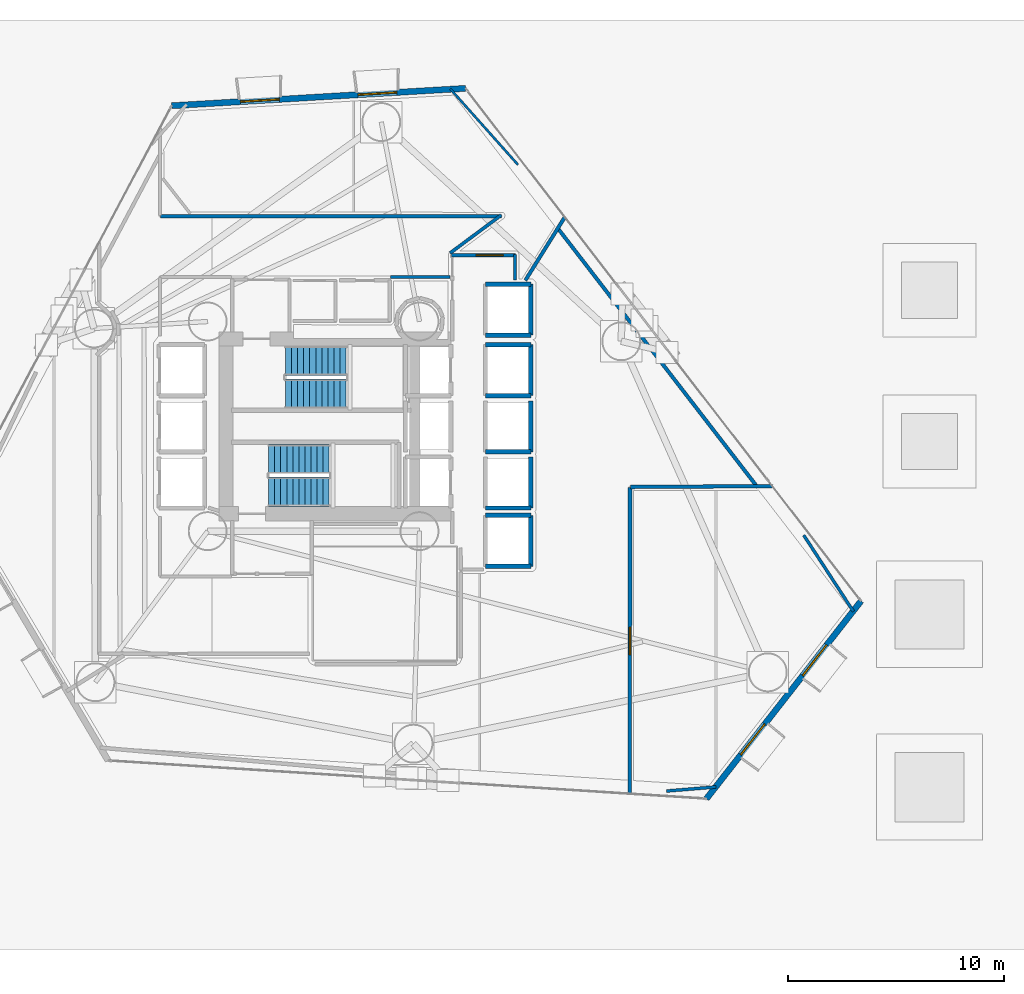
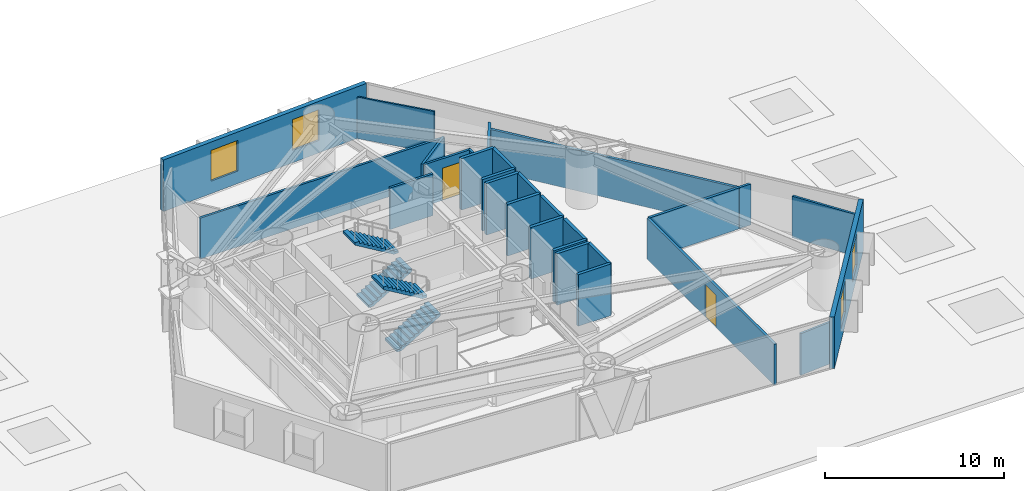
# One storey, part 18 of 22: 27 walls, 4 stair flights, 4 windows, 2 doors, 6 openings, 2 elements without a shape of their own.
"""IFC4 building model written with IfcOpenShell, lengths in metres."""

from ifc_helpers import new_model, si_unit, direction, frame, frame_2d, origin, place, context, subcontext, project, spatial, polyline, rectangle, outline, extrude, material, layer, layer_set, type_object, element, fill, aggregate, save


model = new_model("IFC4")

# Units and contexts
model_context = context("Model", 3, precision=1e-05, world=origin(), true_north=direction((0.0, 1.0)))
body_context = subcontext(model_context, "Body", "Model", "MODEL_VIEW")
ifc_project = project(units=[si_unit("LENGTHUNIT", "METRE"), si_unit("AREAUNIT", "SQUARE_METRE"), si_unit("VOLUMEUNIT", "CUBIC_METRE"), si_unit("PLANEANGLEUNIT", "RADIAN"), si_unit("MASSUNIT", "GRAM", prefix="KILO")], contexts=[model_context])

# Site, building, storey
site_placement = place(None, origin())
site = spatial("IfcSite", under=ifc_project, at=site_placement, CompositionType="ELEMENT")
building_placement = place(site_placement, origin())
building = spatial("IfcBuilding", under=site, at=building_placement, Name="Qianvela Tower", CompositionType="ELEMENT")
storey_placement = place(building_placement, frame((0.0, 0.0, 25.699951171875)))
storey = spatial("IfcBuildingStorey", under=building, at=storey_placement, Name="L05", CompositionType="ELEMENT", Elevation=25.699951171875)

# Wall, openings, windows
ifc_material_1 = material(Name="Terracotta Cladding on Concrete C40", Category="masonry")
ifc_layer_1 = layer(ifc_material_1, 0.280029296875)
ifc_layer_set_1 = layer_set([ifc_layer_1], Name="Terracotta Cladding on Concrete C40")
wall_type_1 = type_object("IfcWallType", Name="TERRACOTTA-WALL-280", PredefinedType="SOLIDWALL", material=ifc_layer_set_1)
wall_1_placement = place(storey_placement, frame((51.6748046875, 11.4677734375, 0.0), z_axis=(0.0, 0.0, 1.0), x_axis=(0.61597722874, 0.787763958095, 0.0)))
wall_1 = element("IfcWall", 1, at=wall_1_placement, inside=storey, type_object=wall_type_1, Name="L05 Terracotta Chamfer Facet Wall 1", PredefinedType="SOLIDWALL", context=body_context, shape_type="SweptSolid", body=[
    extrude(rectangle(XDim=11.615234375, YDim=0.280029296875, at=frame_2d((5.8076171875, 0.0))), origin(), (0.0, 0.0, 1.0), 3.52001953125),
])
opening_1_placement = place(wall_1_placement, frame((2.584716796875, 0.0, 0.85009765625)))
opening_1 = element("IfcOpeningElement", 2, at=opening_1_placement, cuts=wall_1, Name="Opening W-01", PredefinedType="OPENING", context=body_context, shape_type="SweptSolid", body=[
    extrude(rectangle(XDim=1.800048828125, YDim=2.10009765625, at=frame_2d((0.89990234375, 1.050048828125))), frame((0.0, 0.14990234375, 0.0), z_axis=(0.0, -1.0, 0.0), x_axis=(1.0, 0.0, 0.0)), (0.0, 0.0, 1.0), 0.300048828125),
])
opening_2_placement = place(wall_1_placement, frame((7.230712890625, 0.0, 0.85009765625)))
opening_2 = element("IfcOpeningElement", 3, at=opening_2_placement, cuts=wall_1, Name="Opening W-01", PredefinedType="OPENING", context=body_context, shape_type="SweptSolid", body=[
    extrude(rectangle(XDim=1.800048828125, YDim=2.10009765625, at=frame_2d((0.89990234375, 1.050048828125))), frame((0.0, 0.14990234375, 0.0), z_axis=(0.0, -1.0, 0.0), x_axis=(1.0, 0.0, 0.0)), (0.0, 0.0, 1.0), 0.300048828125),
])
ifc_material_2 = material(Name="Thermally Broken Aluminium and Low-E Glass", Category="aluminium")
window_type = type_object("IfcWindowType", Name="WIN-TC-1800x2100", PartitioningType="DOUBLE_PANEL_VERTICAL", PredefinedType="WINDOW", material=ifc_material_2)
window_1_placement = place(opening_1_placement, origin())
window_1 = element("IfcWindow", 4, at=window_1_placement, inside=storey, type_object=window_type, Name="L05 Chamfer Facet Window 1.1", OverallHeight=2.10009765625, OverallWidth=1.800048828125, PartitioningType="SINGLE_PANEL", PredefinedType="WINDOW", context=body_context, shape_type="SweptSolid", body=[
    extrude(rectangle(XDim=1.800048828125, YDim=2.10009765625, at=frame_2d((0.89990234375, 1.050048828125))), frame((0.0, 0.030029296875, 0.0), z_axis=(0.0, -1.0, 0.0), x_axis=(1.0, 0.0, 0.0)), (0.0, 0.0, 1.0), 0.06005859375),
])
fill(opening_1, window_1)
window_2_placement = place(opening_2_placement, origin())
window_2 = element("IfcWindow", 5, at=window_2_placement, inside=storey, type_object=window_type, Name="L05 Chamfer Facet Window 1.2", OverallHeight=2.10009765625, OverallWidth=1.800048828125, PartitioningType="SINGLE_PANEL", PredefinedType="WINDOW", context=body_context, shape_type="SweptSolid", body=[
    extrude(rectangle(XDim=1.800048828125, YDim=2.10009765625, at=frame_2d((0.89990234375, 1.050048828125))), frame((0.0, 0.030029296875, 0.0), z_axis=(0.0, -1.0, 0.0), x_axis=(1.0, 0.0, 0.0)), (0.0, 0.0, 1.0), 0.06005859375),
])
fill(opening_2, window_2)

wall_2_placement = place(storey_placement, frame((40.531982421875, 44.33740234375, 0.0), z_axis=(0.0, 0.0, 1.0), x_axis=(-0.998254407647, -0.059060457267, 0.0)))
wall_2 = element("IfcWall", 6, at=wall_2_placement, inside=storey, type_object=wall_type_1, Name="L05 Terracotta Chamfer Facet Wall 3", PredefinedType="SOLIDWALL", context=body_context, shape_type="SweptSolid", body=[
    extrude(rectangle(XDim=13.616455078125, YDim=0.280029296875, at=frame_2d((6.80810546875, 0.0))), origin(), (0.0, 0.0, 1.0), 3.52001953125),
])
opening_3_placement = place(wall_2_placement, frame((3.18505859375, 0.0, 0.85009765625)))
opening_3 = element("IfcOpeningElement", 7, at=opening_3_placement, cuts=wall_2, Name="Opening W-01", PredefinedType="OPENING", context=body_context, shape_type="SweptSolid", body=[
    extrude(rectangle(XDim=1.800048828125, YDim=2.10009765625, at=frame_2d((0.89990234375, 1.050048828125))), frame((0.0, 0.14990234375, 0.0), z_axis=(0.0, -1.0, 0.0), x_axis=(1.0, 0.0, 0.0)), (0.0, 0.0, 1.0), 0.300048828125),
])
opening_4_placement = place(wall_2_placement, frame((8.631591796875, 0.0, 0.85009765625)))
opening_4 = element("IfcOpeningElement", 8, at=opening_4_placement, cuts=wall_2, Name="Opening W-01", PredefinedType="OPENING", context=body_context, shape_type="SweptSolid", body=[
    extrude(rectangle(XDim=1.800048828125, YDim=2.10009765625, at=frame_2d((0.89990234375, 1.050048828125))), frame((0.0, 0.14990234375, 0.0), z_axis=(0.0, -1.0, 0.0), x_axis=(1.0, 0.0, 0.0)), (0.0, 0.0, 1.0), 0.300048828125),
])
window_3_placement = place(opening_3_placement, origin())
window_3 = element("IfcWindow", 9, at=window_3_placement, inside=storey, type_object=window_type, Name="L05 Chamfer Facet Window 3.1", OverallHeight=2.10009765625, OverallWidth=1.800048828125, PartitioningType="SINGLE_PANEL", PredefinedType="WINDOW", context=body_context, shape_type="SweptSolid", body=[
    extrude(rectangle(XDim=1.800048828125, YDim=2.10009765625, at=frame_2d((0.89990234375, 1.050048828125))), frame((0.0, 0.030029296875, 0.0), z_axis=(0.0, -1.0, 0.0), x_axis=(1.0, 0.0, 0.0)), (0.0, 0.0, 1.0), 0.06005859375),
])
fill(opening_3, window_3)
window_4_placement = place(opening_4_placement, origin())
window_4 = element("IfcWindow", 10, at=window_4_placement, inside=storey, type_object=window_type, Name="L05 Chamfer Facet Window 3.2", OverallHeight=2.10009765625, OverallWidth=1.800048828125, PartitioningType="SINGLE_PANEL", PredefinedType="WINDOW", context=body_context, shape_type="SweptSolid", body=[
    extrude(rectangle(XDim=1.800048828125, YDim=2.10009765625, at=frame_2d((0.89990234375, 1.050048828125))), frame((0.0, 0.030029296875, 0.0), z_axis=(0.0, -1.0, 0.0), x_axis=(1.0, 0.0, 0.0)), (0.0, 0.0, 1.0), 0.06005859375),
])
fill(opening_4, window_4)

# Wall, opening, door
ifc_material_3 = material(Name="Fire-Rated Acoustic Gypsum Board")
ifc_layer_2 = layer(ifc_material_3, 0.14990234375)
ifc_layer_set_2 = layer_set([ifc_layer_2], Name="Fire-Rated Acoustic Gypsum Board")
wall_type_2 = type_object("IfcWallType", Name="WT-CORR-150", PredefinedType="PARTITIONING", material=ifc_layer_set_2)
wall_3_placement = place(storey_placement, frame((39.8798828125, 36.618896484375, 0.0), z_axis=(0.0, 0.0, 1.0), x_axis=(1.0, 0.0, 0.0)))
wall_3 = element("IfcWall", 11, at=wall_3_placement, inside=storey, type_object=wall_type_2, Name="L05 Partition 11", PredefinedType="PARTITIONING", context=body_context, shape_type="SweptSolid", body=[
    extrude(rectangle(XDim=2.97021484375, YDim=0.14990234375, at=frame_2d((1.485107421875, 0.0))), origin(), (0.0, 0.0, 1.0), 2.840087890625),
])
opening_5_placement = place(wall_3_placement, frame((1.139892578125, 0.0, 0.0)))
opening_5 = element("IfcOpeningElement", 12, at=opening_5_placement, cuts=wall_3, Name="Opening D-LG1", PredefinedType="OPENING", context=body_context, shape_type="SweptSolid", body=[
    extrude(rectangle(XDim=1.25, YDim=2.199951171875, at=frame_2d((0.625, 1.10009765625))), frame((0.0, 0.0849609375, 0.0), z_axis=(0.0, -1.0, 0.0), x_axis=(1.0, 0.0, 0.0)), (0.0, 0.0, 1.0), 0.169921875),
])
ifc_material_4 = material(Name="Anodised Aluminium Acoustic Glass Door", Category="aluminium")
door_type = type_object("IfcDoorType", Name="DT-LOUNGE-1250", OperationType="NOTDEFINED", PredefinedType="DOOR", material=ifc_material_4)
door_1_placement = place(opening_5_placement, origin())
door_1 = element("IfcDoor", 13, at=door_1_placement, inside=storey, type_object=door_type, Name="L05 Door Academic Advising Lounge L05-04 to L05 Lift Lobby", OperationType="SINGLE_SWING_RIGHT", OverallHeight=2.199951171875, OverallWidth=1.25, PredefinedType="DOOR", context=body_context, shape_type="SweptSolid", body=[
    extrude(rectangle(XDim=1.25, YDim=2.199951171875, at=frame_2d((0.625, 1.10009765625))), frame((0.0, 0.02490234375, 0.0), z_axis=(0.0, -1.0, 0.0), x_axis=(1.0, 0.0, 0.0)), (0.0, 0.0, 1.0), 0.050048828125),
])
fill(opening_5, door_1)

# Walls
wall_4_placement = place(storey_placement, frame((42.819091796875, 36.64990234375, 0.0), z_axis=(0.0, 0.0, 1.0), x_axis=(0.0, -1.0, 0.0)))
element("IfcWall", 14, at=wall_4_placement, inside=storey, type_object=wall_type_2, Name="L05 Partition 12", PredefinedType="PARTITIONING", context=body_context, shape_type="SweptSolid", body=[
    extrude(rectangle(XDim=1.169921875, YDim=0.14990234375, at=frame_2d((0.5849609375, 0.0))), origin(), (0.0, 0.0, 1.0), 2.840087890625),
])
wall_5_placement = place(storey_placement, frame((26.419921875, 38.4189453125, 0.0), z_axis=(0.0, 0.0, 1.0), x_axis=(1.0, 0.0, 0.0)))
element("IfcWall", 15, at=wall_5_placement, inside=storey, type_object=wall_type_2, Name="L05 Partition 43", PredefinedType="PARTITIONING", context=body_context, shape_type="SweptSolid", body=[
    extrude(rectangle(XDim=15.783203125, YDim=0.14990234375, at=frame_2d((7.8916015625, 0.0))), origin(), (0.0, 0.0, 1.0), 2.798095703125),
])
wall_6_placement = place(storey_placement, frame((42.1845703125, 38.474853515625, 0.0), z_axis=(0.0, 0.0, 1.0), x_axis=(-0.802818467394, -0.596223538961, 0.0)))
element("IfcWall", 16, at=wall_6_placement, inside=storey, type_object=wall_type_2, Name="L05 Partition 44", PredefinedType="PARTITIONING", context=body_context, shape_type="SweptSolid", body=[
    extrude(rectangle(XDim=2.953125, YDim=0.14990234375, at=frame_2d((1.4765625, 0.0))), origin(), (0.0, 0.0, 1.0), 2.798095703125),
])
wall_7_placement = place(storey_placement, frame((39.818115234375, 35.611083984375, 0.0), z_axis=(0.0, 0.0, 1.0), x_axis=(-1.0, 0.0, 0.0)))
element("IfcWall", 17, at=wall_7_placement, inside=storey, type_object=wall_type_2, Name="L05 Partition 46 seg 1", PredefinedType="PARTITIONING", context=body_context, shape_type="SweptSolid", body=[
    extrude(rectangle(XDim=2.76806640625, YDim=0.14990234375, at=frame_2d((1.384033203125, 0.0))), origin(), (0.0, 0.0, 1.0), 2.840087890625),
])
ifc_material_5 = material(Name="Lightweight Gypsum Room Partition")
ifc_layer_3 = layer(ifc_material_5, 0.10498046875)
ifc_layer_set_3 = layer_set([ifc_layer_3], Name="Lightweight Gypsum Room Partition")
wall_type_3 = type_object("IfcWallType", Name="WT-PART-105", PredefinedType="PARTITIONING", material=ifc_layer_set_3)
wall_8_placement = place(storey_placement, frame((39.82421875, 44.312255859375, 0.0), z_axis=(0.0, 0.0, 1.0), x_axis=(0.665796963086, -0.746132966666, 0.0)))
element("IfcWall", 18, at=wall_8_placement, inside=storey, type_object=wall_type_3, Name="L05 Partition 104 seg 1", PredefinedType="PARTITIONING", context=body_context, shape_type="SweptSolid", body=[
    extrude(rectangle(XDim=4.701416015625, YDim=0.10498046875, at=frame_2d((2.3505859375, 0.0))), origin(), (0.0, 0.0, 1.0), 2.840087890625),
])
ifc_material_6 = material(Name="Sanitary Service Chase Partition")
ifc_layer_4 = layer(ifc_material_6, 0.1650390625)
ifc_layer_set_4 = layer_set([ifc_layer_4], Name="Sanitary Service Chase Partition")
wall_type_4 = type_object("IfcWallType", Name="WT-PLUMB-165", PredefinedType="PLUMBINGWALL", material=ifc_layer_set_4)
wall_9_placement = place(storey_placement, frame((43.297119140625, 35.452880859375, 0.0), z_axis=(0.0, 0.0, 1.0), x_axis=(0.529177490016, 0.848511157298, 0.0)))
element("IfcWall", 19, at=wall_9_placement, inside=storey, type_object=wall_type_4, Name="L05 Partition 74", PredefinedType="PLUMBINGWALL", context=body_context, shape_type="SweptSolid", body=[
    extrude(rectangle(XDim=3.47412109375, YDim=0.1650390625, at=frame_2d((1.737060546875, 0.0))), origin(), (0.0, 0.0, 1.0), 2.798095703125),
])
wall_10_placement = place(storey_placement, frame((44.7724609375, 37.8974609375, 0.0), z_axis=(0.0, 0.0, 1.0), x_axis=(0.61079855593, -0.791786034275, 0.0)))
element("IfcWall", 20, at=wall_10_placement, inside=storey, type_object=wall_type_4, Name="L05 Partition 75", PredefinedType="PLUMBINGWALL", context=body_context, shape_type="SweptSolid", body=[
    extrude(rectangle(XDim=15.177001953125, YDim=0.1650390625, at=frame_2d((7.58837890625, 0.0))), origin(), (0.0, 0.0, 1.0), 2.798095703125),
])
wall_11_placement = place(storey_placement, frame((54.748046875, 25.934814453125, 0.0), z_axis=(0.0, 0.0, 1.0), x_axis=(-0.999979867578, -0.00634542665, 0.0)))
element("IfcWall", 21, at=wall_11_placement, inside=storey, type_object=wall_type_4, Name="L05 Partition 76", PredefinedType="PLUMBINGWALL", context=body_context, shape_type="SweptSolid", body=[
    extrude(rectangle(XDim=6.579345703125, YDim=0.1650390625, at=frame_2d((3.28955078125, 0.0))), origin(), (0.0, 0.0, 1.0), 2.798095703125),
])

# Wall, opening, door
wall_12_placement = place(storey_placement, frame((48.13818359375, 25.862060546875, 0.0), z_axis=(0.0, 0.0, 1.0), x_axis=(-3.4412746e-05, -0.999999999408, 0.0)))
wall_12 = element("IfcWall", 22, at=wall_12_placement, inside=storey, type_object=wall_type_4, Name="L05 Partition 77", PredefinedType="PLUMBINGWALL", context=body_context, shape_type="SweptSolid", body=[
    extrude(rectangle(XDim=14.18896484375, YDim=0.1650390625, at=frame_2d((7.094482421875, 0.0))), origin(), (0.0, 0.0, 1.0), 2.798095703125),
])
opening_6_placement = place(wall_12_placement, frame((6.469482421875, 0.0, 0.0)))
opening_6 = element("IfcOpeningElement", 23, at=opening_6_placement, cuts=wall_12, Name="Opening D-LG1", PredefinedType="OPENING", context=body_context, shape_type="SweptSolid", body=[
    extrude(rectangle(XDim=1.25, YDim=2.199951171875, at=frame_2d((0.625, 1.10009765625))), frame((0.0, 0.092529296875, 0.0), z_axis=(0.0, -1.0, 0.0), x_axis=(1.0, 0.0, 0.0)), (0.0, 0.0, 1.0), 0.18505859375),
])
door_2_placement = place(opening_6_placement, origin())
door_2 = element("IfcDoor", 24, at=door_2_placement, inside=storey, type_object=door_type, Name="L05 Door Student Wellness Lounge L05-05 to Shared Communal Kitchen L05-02", OperationType="SINGLE_SWING_LEFT", OverallHeight=2.199951171875, OverallWidth=1.25, PredefinedType="DOOR", context=body_context, shape_type="SweptSolid", body=[
    extrude(rectangle(XDim=1.25, YDim=2.199951171875, at=frame_2d((0.625, 1.10009765625))), frame((0.0, 0.02490234375, 0.0), z_axis=(0.0, -1.0, 0.0), x_axis=(1.0, 0.0, 0.0)), (0.0, 0.0, 1.0), 0.050048828125),
])
fill(opening_6, door_2)

# Walls
ifc_material_7 = material(Name="Acoustic Double Gypsum Stud Partition")
ifc_layer_5 = layer(ifc_material_7, 0.139892578125)
ifc_layer_set_5 = layer_set([ifc_layer_5], Name="Acoustic Double Gypsum Stud Partition")
wall_type_5 = type_object("IfcWallType", Name="WT-ROOM-140", PredefinedType="PARTITIONING", material=ifc_layer_set_5)
wall_13_placement = place(storey_placement, frame((52.124755859375, 12.01611328125, 0.0), z_axis=(0.0, 0.0, 1.0), x_axis=(-0.996566226435, -0.08279949474, 0.0)))
element("IfcWall", 25, at=wall_13_placement, inside=storey, type_object=wall_type_5, Name="L05 Partition 108 seg 1", PredefinedType="PARTITIONING", context=body_context, shape_type="SweptSolid", body=[
    extrude(rectangle(XDim=2.2998046875, YDim=0.139892578125, at=frame_2d((1.14990234375, 0.0))), origin(), (0.0, 0.0, 1.0), 2.840087890625),
])
wall_14_placement = place(storey_placement, frame((56.177490234375, 23.6630859375, 0.0), z_axis=(0.0, 0.0, 1.0), x_axis=(0.545664651051, -0.838003632805, 0.0)))
element("IfcWall", 26, at=wall_14_placement, inside=storey, type_object=wall_type_5, Name="L05 Partition 111 seg 1", PredefinedType="PARTITIONING", context=body_context, shape_type="SweptSolid", body=[
    extrude(rectangle(XDim=4.211669921875, YDim=0.139892578125, at=frame_2d((2.10595703125, 0.0))), origin(), (0.0, 0.0, 1.0), 2.840087890625),
])
ifc_material_8 = material(Name="Concrete C50", Category="concrete")
ifc_layer_6 = layer(ifc_material_8, 0.199951171875)
ifc_layer_set_6 = layer_set([ifc_layer_6], Name="Concrete C50")
wall_type_6 = type_object("IfcWallType", Name="WT-SHAFT-200", PredefinedType="SOLIDWALL", material=ifc_layer_set_6)
wall_15_placement = place(storey_placement, frame((43.550048828125, 30.1201171875, 0.0), z_axis=(0.0, 0.0, 1.0), x_axis=(0.0, 1.0, 0.0)))
element("IfcWall", 27, at=wall_15_placement, inside=storey, type_object=wall_type_6, Name="L05 Lift PL-M1 E Shaft Wall", PredefinedType="SOLIDWALL", context=body_context, shape_type="SweptSolid", body=[
    extrude(rectangle(XDim=2.35986328125, YDim=0.199951171875, at=frame_2d((1.179931640625, 0.0))), origin(), (0.0, 0.0, 1.0), 3.52001953125),
])
for number, where, z_axis, x_axis, name in (
    (28, (41.449951171875, 32.47998046875, 0.0), (0.0, 0.0, 1.0), (1.0, 0.0, 0.0), "L05 Lift PL-M1 N Shaft Wall"),
    (29, (41.449951171875, 30.1201171875, 0.0), (0.0, 0.0, 1.0), (1.0, 0.0, 0.0), "L05 Lift PL-M1 S Shaft Wall"),
):
    element("IfcWall", number, at=place(storey_placement, frame(where, z_axis=z_axis, x_axis=x_axis)), inside=storey, type_object=wall_type_6, Name=name, PredefinedType="SOLIDWALL", context=body_context, shape_type="SweptSolid", body=[
        extrude(rectangle(XDim=2.10009765625, YDim=0.199951171875, at=frame_2d((1.050048828125, 0.0))), origin(), (0.0, 0.0, 1.0), 3.52001953125),
    ])
wall_16_placement = place(storey_placement, frame((43.550048828125, 27.52001953125, 0.0), z_axis=(0.0, 0.0, 1.0), x_axis=(0.0, 1.0, 0.0)))
element("IfcWall", 30, at=wall_16_placement, inside=storey, type_object=wall_type_6, Name="L05 Lift PL-M2 E Shaft Wall", PredefinedType="SOLIDWALL", context=body_context, shape_type="SweptSolid", body=[
    extrude(rectangle(XDim=2.35986328125, YDim=0.199951171875, at=frame_2d((1.179931640625, 0.0))), origin(), (0.0, 0.0, 1.0), 3.52001953125),
])
wall_17_placement = place(storey_placement, frame((41.449951171875, 27.52001953125, 0.0), z_axis=(0.0, 0.0, 1.0), x_axis=(1.0, 0.0, 0.0)))
element("IfcWall", 31, at=wall_17_placement, inside=storey, type_object=wall_type_6, Name="L05 Lift PL-M2 S Shaft Wall", PredefinedType="SOLIDWALL", context=body_context, shape_type="SweptSolid", body=[
    extrude(rectangle(XDim=2.10009765625, YDim=0.199951171875, at=frame_2d((1.050048828125, 0.0))), origin(), (0.0, 0.0, 1.0), 3.52001953125),
])
wall_18_placement = place(storey_placement, frame((43.550048828125, 24.919921875, 0.0), z_axis=(0.0, 0.0, 1.0), x_axis=(0.0, 1.0, 0.0)))
element("IfcWall", 32, at=wall_18_placement, inside=storey, type_object=wall_type_6, Name="L05 Lift PL-M3 E Shaft Wall", PredefinedType="SOLIDWALL", context=body_context, shape_type="SweptSolid", body=[
    extrude(rectangle(XDim=2.360107421875, YDim=0.199951171875, at=frame_2d((1.18017578125, 0.0))), origin(), (0.0, 0.0, 1.0), 3.52001953125),
])
wall_19_placement = place(storey_placement, frame((41.449951171875, 24.919921875, 0.0), z_axis=(0.0, 0.0, 1.0), x_axis=(1.0, 0.0, 0.0)))
element("IfcWall", 33, at=wall_19_placement, inside=storey, type_object=wall_type_6, Name="L05 Lift PL-M3 S Shaft Wall", PredefinedType="SOLIDWALL", context=body_context, shape_type="SweptSolid", body=[
    extrude(rectangle(XDim=2.10009765625, YDim=0.199951171875, at=frame_2d((1.050048828125, 0.0))), origin(), (0.0, 0.0, 1.0), 3.52001953125),
])
wall_20_placement = place(storey_placement, frame((43.550048828125, 22.219970703125, 0.0), z_axis=(0.0, 0.0, 1.0), x_axis=(0.0, 1.0, 0.0)))
element("IfcWall", 34, at=wall_20_placement, inside=storey, type_object=wall_type_6, Name="L05 Lift PL-H2 E Shaft Wall", PredefinedType="SOLIDWALL", context=body_context, shape_type="SweptSolid", body=[
    extrude(rectangle(XDim=2.360107421875, YDim=0.199951171875, at=frame_2d((1.18017578125, 0.0))), origin(), (0.0, 0.0, 1.0), 3.52001953125),
])
for number, where, z_axis, x_axis, name in (
    (35, (41.449951171875, 24.580078125, 0.0), (0.0, 0.0, 1.0), (1.0, 0.0, 0.0), "L05 Lift PL-H2 N Shaft Wall"),
    (36, (41.449951171875, 22.219970703125, 0.0), (0.0, 0.0, 1.0), (1.0, 0.0, 0.0), "L05 Lift PL-H2 S Shaft Wall"),
):
    element("IfcWall", number, at=place(storey_placement, frame(where, z_axis=z_axis, x_axis=x_axis)), inside=storey, type_object=wall_type_6, Name=name, PredefinedType="SOLIDWALL", context=body_context, shape_type="SweptSolid", body=[
        extrude(rectangle(XDim=2.10009765625, YDim=0.199951171875, at=frame_2d((1.050048828125, 0.0))), origin(), (0.0, 0.0, 1.0), 3.52001953125),
    ])
wall_21_placement = place(storey_placement, frame((43.550048828125, 32.919921875, 0.0), z_axis=(0.0, 0.0, 1.0), x_axis=(0.0, 1.0, 0.0)))
element("IfcWall", 37, at=wall_21_placement, inside=storey, type_object=wall_type_6, Name="L05 Lift PL-H3 E Shaft Wall", PredefinedType="SOLIDWALL", context=body_context, shape_type="SweptSolid", body=[
    extrude(rectangle(XDim=2.360107421875, YDim=0.199951171875, at=frame_2d((1.18017578125, 0.0))), origin(), (0.0, 0.0, 1.0), 3.52001953125),
])
for number, where, z_axis, x_axis, name in (
    (38, (41.449951171875, 35.280029296875, 0.0), (0.0, 0.0, 1.0), (1.0, 0.0, 0.0), "L05 Lift PL-H3 N Shaft Wall"),
    (39, (41.449951171875, 32.919921875, 0.0), (0.0, 0.0, 1.0), (1.0, 0.0, 0.0), "L05 Lift PL-H3 S Shaft Wall"),
):
    element("IfcWall", number, at=place(storey_placement, frame(where, z_axis=z_axis, x_axis=x_axis)), inside=storey, type_object=wall_type_6, Name=name, PredefinedType="SOLIDWALL", context=body_context, shape_type="SweptSolid", body=[
        extrude(rectangle(XDim=2.10009765625, YDim=0.199951171875, at=frame_2d((1.050048828125, 0.0))), origin(), (0.0, 0.0, 1.0), 3.52001953125),
    ])

# Stair, stair flights
ifc_material_9 = material(Name="Concrete C40", Category="concrete")
stair_type = type_object("IfcStairType", Name="ST-DOGLEG-1350-R168-N22", PredefinedType="HALF_TURN_STAIR", material=ifc_material_9)
stair_1_placement = place(storey_placement, origin())
stair_1 = element("IfcStair", 40, at=stair_1_placement, inside=storey, type_object=stair_type, Name="L05 Smoke-Proof Core Stair ST-1", PredefinedType="HALF_TURN_STAIR")
ifc_material_10 = material(Name="Concrete C40", Category="concrete")
stair_flight_type = type_object("IfcStairFlightType", Name="STF-STRAIGHT-R168-P11", PredefinedType="STRAIGHT", material=ifc_material_10)
stair_flight_1_placement = place(storey_placement, frame((32.199951171875, 30.215087890625, 0.0), z_axis=(0.0, 0.0, 1.0), x_axis=(1.0, 0.0, 0.0)))
stair_flight_1 = element("IfcStairFlight", 41, at=stair_flight_1_placement, type_object=stair_flight_type, Name="ST-1 flight 1", NumberOfRisers=11, NumberOfTreads=10, PredefinedType="STRAIGHT", RiserHeight=0.168181818, TreadLength=0.28, context=body_context, shape_type="SweptSolid", body=[
    extrude(outline(polyline([(0.0, 0.0), (0.0, 0.168212890625), (0.280029296875, 0.168212890625), (0.280029296875, 0.33642578125), (0.56005859375, 0.33642578125), (0.56005859375, 0.504638671875), (0.840087890625, 0.504638671875), (0.840087890625, 0.672607421875), (1.1201171875, 0.672607421875), (1.1201171875, 0.8408203125), (1.39990234375, 0.8408203125), (1.39990234375, 1.009033203125), (1.679931640625, 1.009033203125), (1.679931640625, 1.17724609375), (1.9599609375, 1.17724609375), (1.9599609375, 1.345458984375), (2.239990234375, 1.345458984375), (2.239990234375, 1.513671875), (2.52001953125, 1.513671875), (2.52001953125, 1.681884765625), (2.800048828125, 1.681884765625), (2.800048828125, 1.85009765625), (2.800048828125, 1.5068359375), (0.291015625, 0.0), (0.0, 0.0)])), frame((0.0, 0.675048828125, 0.0), z_axis=(0.0, -1.0, 0.0), x_axis=(1.0, 0.0, 0.0)), (0.0, 0.0, 1.0), 1.35009765625),
])
stair_flight_2_placement = place(storey_placement, frame((35.0, 31.72509765625, 1.85009765625), z_axis=(0.0, 0.0, 1.0), x_axis=(-1.0, 0.0, 0.0)))
stair_flight_2 = element("IfcStairFlight", 42, at=stair_flight_2_placement, type_object=stair_flight_type, Name="ST-1 flight 2", NumberOfRisers=11, NumberOfTreads=10, PredefinedType="STRAIGHT", RiserHeight=0.168181818, TreadLength=0.28, context=body_context, shape_type="SweptSolid", body=[
    extrude(outline(polyline([(0.0, 0.0), (0.0, 0.168212890625), (0.280029296875, 0.168212890625), (0.280029296875, 0.33642578125), (0.56005859375, 0.33642578125), (0.56005859375, 0.504638671875), (0.840087890625, 0.504638671875), (0.840087890625, 0.672607421875), (1.1201171875, 0.672607421875), (1.1201171875, 0.8408203125), (1.39990234375, 0.8408203125), (1.39990234375, 1.009033203125), (1.679931640625, 1.009033203125), (1.679931640625, 1.17724609375), (1.9599609375, 1.17724609375), (1.9599609375, 1.345458984375), (2.239990234375, 1.345458984375), (2.239990234375, 1.513671875), (2.52001953125, 1.513671875), (2.52001953125, 1.681884765625), (2.800048828125, 1.681884765625), (2.800048828125, 1.85009765625), (2.800048828125, 1.5068359375), (0.291015625, 0.0), (0.0, 0.0)])), frame((0.0, 0.675048828125, 0.0), z_axis=(0.0, -1.0, 0.0), x_axis=(1.0, 0.0, 0.0)), (0.0, 0.0, 1.0), 1.35009765625),
])
aggregate(stair_1, [stair_flight_1, stair_flight_2])

stair_2_placement = place(storey_placement, origin())
stair_2 = element("IfcStair", 43, at=stair_2_placement, inside=storey, type_object=stair_type, Name="L05 Smoke-Proof Core Stair ST-2", PredefinedType="HALF_TURN_STAIR")
stair_flight_3_placement = place(storey_placement, frame((31.419921875, 25.675048828125, 0.0), z_axis=(0.0, 0.0, 1.0), x_axis=(1.0, 0.0, 0.0)))
stair_flight_3 = element("IfcStairFlight", 44, at=stair_flight_3_placement, type_object=stair_flight_type, Name="ST-2 flight 1", NumberOfRisers=11, NumberOfTreads=10, PredefinedType="STRAIGHT", RiserHeight=0.168181818, TreadLength=0.28, context=body_context, shape_type="SweptSolid", body=[
    extrude(outline(polyline([(0.0, 0.0), (0.0, 0.168212890625), (0.280029296875, 0.168212890625), (0.280029296875, 0.33642578125), (0.56005859375, 0.33642578125), (0.56005859375, 0.504638671875), (0.840087890625, 0.504638671875), (0.840087890625, 0.672607421875), (1.1201171875, 0.672607421875), (1.1201171875, 0.8408203125), (1.39990234375, 0.8408203125), (1.39990234375, 1.009033203125), (1.679931640625, 1.009033203125), (1.679931640625, 1.17724609375), (1.9599609375, 1.17724609375), (1.9599609375, 1.345458984375), (2.239990234375, 1.345458984375), (2.239990234375, 1.513671875), (2.52001953125, 1.513671875), (2.52001953125, 1.681884765625), (2.800048828125, 1.681884765625), (2.800048828125, 1.85009765625), (2.800048828125, 1.5068359375), (0.291015625, 0.0), (0.0, 0.0)])), frame((0.0, 0.675048828125, 0.0), z_axis=(0.0, -1.0, 0.0), x_axis=(1.0, 0.0, 0.0)), (0.0, 0.0, 1.0), 1.35009765625),
])
stair_flight_4_placement = place(storey_placement, frame((34.219970703125, 27.18505859375, 1.85009765625), z_axis=(0.0, 0.0, 1.0), x_axis=(-1.0, 0.0, 0.0)))
stair_flight_4 = element("IfcStairFlight", 45, at=stair_flight_4_placement, type_object=stair_flight_type, Name="ST-2 flight 2", NumberOfRisers=11, NumberOfTreads=10, PredefinedType="STRAIGHT", RiserHeight=0.168181818, TreadLength=0.28, context=body_context, shape_type="SweptSolid", body=[
    extrude(outline(polyline([(0.0, 0.0), (0.0, 0.168212890625), (0.280029296875, 0.168212890625), (0.280029296875, 0.33642578125), (0.56005859375, 0.33642578125), (0.56005859375, 0.504638671875), (0.840087890625, 0.504638671875), (0.840087890625, 0.672607421875), (1.1201171875, 0.672607421875), (1.1201171875, 0.8408203125), (1.39990234375, 0.8408203125), (1.39990234375, 1.009033203125), (1.679931640625, 1.009033203125), (1.679931640625, 1.17724609375), (1.9599609375, 1.17724609375), (1.9599609375, 1.345458984375), (2.239990234375, 1.345458984375), (2.239990234375, 1.513671875), (2.52001953125, 1.513671875), (2.52001953125, 1.681884765625), (2.800048828125, 1.681884765625), (2.800048828125, 1.85009765625), (2.800048828125, 1.5068359375), (0.291015625, 0.0), (0.0, 0.0)])), frame((0.0, 0.675048828125, 0.0), z_axis=(0.0, -1.0, 0.0), x_axis=(1.0, 0.0, 0.0)), (0.0, 0.0, 1.0), 1.35009765625),
])
aggregate(stair_2, [stair_flight_3, stair_flight_4])

save(model, "model.ifc")
